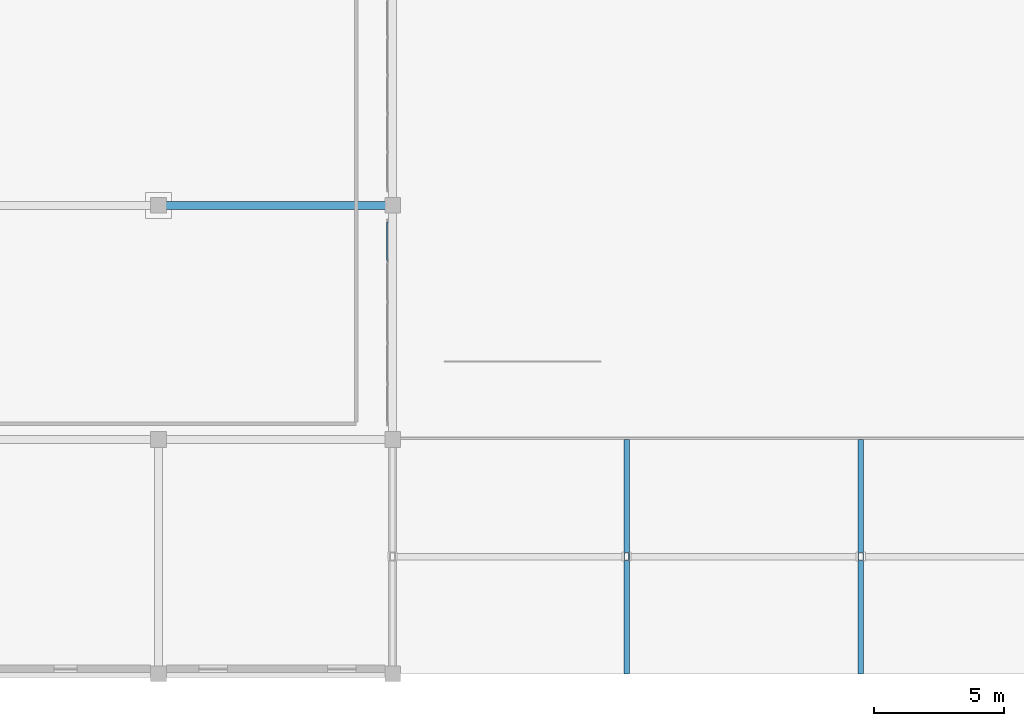
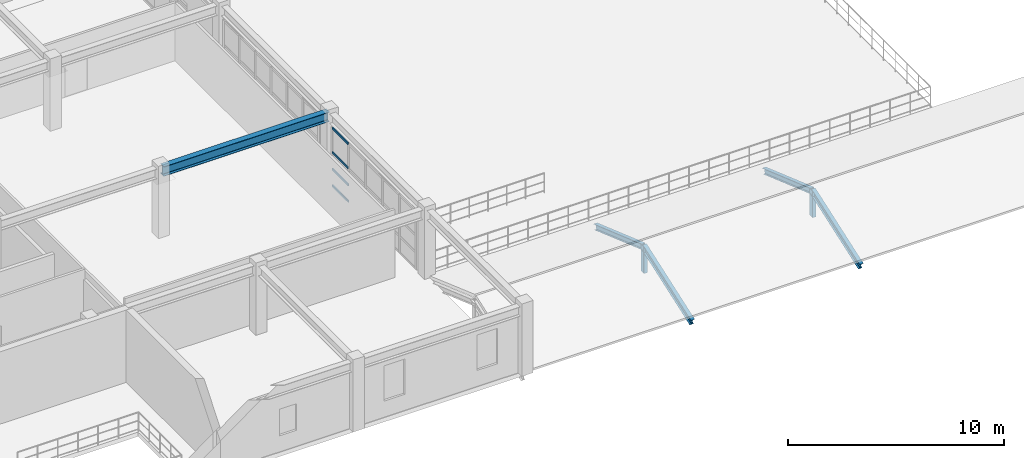
# One storey, part 36 of 110: 10 members, 1 beam, 1 element without a shape of its own.
"""IFC4 building model written with IfcOpenShell, lengths in metres."""

from ifc_helpers import new_model, si_unit, direction, frame, origin, origin_2d, place, context, subcontext, project, spatial, hollow_rectangle, i_section, extrude, material, material_profile, profile_set, type_object, element, aggregate, save


model = new_model("IFC4")

# Units and contexts
model_context = context("Model", 3, precision=1e-05, world=origin(), true_north=direction((0.0, 1.0)))
body_context = subcontext(model_context, "Body", "Model", "MODEL_VIEW")
ifc_project = project(units=[si_unit("LENGTHUNIT", "METRE"), si_unit("AREAUNIT", "SQUARE_METRE"), si_unit("VOLUMEUNIT", "CUBIC_METRE"), si_unit("PLANEANGLEUNIT", "RADIAN"), si_unit("MASSUNIT", "GRAM", prefix="KILO")], contexts=[model_context])

# Site, building, storey
site_placement = place(None, origin())
site = spatial("IfcSite", under=ifc_project, at=site_placement, CompositionType="ELEMENT")
building_placement = place(site_placement, origin())
building = spatial("IfcBuilding", under=site, at=building_placement, Name="Miravela Opera House", CompositionType="ELEMENT")
storey_placement = place(building_placement, frame((0.0, 0.0, 13.60009765625)))
storey = spatial("IfcBuildingStorey", under=building, at=storey_placement, Name="L03", CompositionType="ELEMENT", Elevation=13.60009765625)

# Curtain wall, members
ifc_material_1 = material(Name="Anodised architectural bronze aluminium 6063-T6", Category="aluminium")
curtain_wall_type = type_object("IfcCurtainWallType", Name="ARC-CW-08", PredefinedType="NOTDEFINED", material=ifc_material_1)
curtain_wall_placement = place(storey_placement, origin())
curtain_wall = element("IfcCurtainWall", 1, at=curtain_wall_placement, inside=storey, type_object=curtain_wall_type, Name="Courtyard Arcade Curtain Wall CW-L03-201", PredefinedType="NOTDEFINED")
ifc_material_profile_1 = material_profile(ifc_material_1, hollow_rectangle(XDim=0.06005859375, YDim=0.114990234375, WallThickness=0.00390625, InnerFilletRadius=0.001953125, OuterFilletRadius=0.00390625, at=origin_2d()), Name="CWT-60X115")
ifc_profile_set_1 = profile_set([ifc_material_profile_1])
member_type_1 = type_object("IfcMemberType", Name="ARC-CWT-115", PredefinedType="USERDEFINED", material=ifc_profile_set_1)
member_1_placement = place(storey_placement, frame((89.800048828125, 15.882080078125, 0.02978515625), z_axis=(0.0, 1.0, 0.0), x_axis=(-1.0, 0.0, 0.0)))
member_1 = element("IfcMember", 2, at=member_1_placement, type_object=member_type_1, Name="CW-08 transom 5.1", ObjectType="TRANSOM", PredefinedType="USERDEFINED", context=body_context, shape_type="SweptSolid", body=[
    extrude(hollow_rectangle(XDim=0.06005859375, YDim=0.114990234375, WallThickness=0.00390625, InnerFilletRadius=0.001953125, OuterFilletRadius=0.00390625, at=origin_2d()), origin(), (0.0, 0.0, 1.0), 1.47802734375),
])
member_2_placement = place(storey_placement, frame((89.800048828125, 15.882080078125, 0.949951171875), z_axis=(0.0, 1.0, 0.0), x_axis=(-1.0, 0.0, 0.0)))
member_2 = element("IfcMember", 3, at=member_2_placement, type_object=member_type_1, Name="CW-08 transom 5.2", ObjectType="TRANSOM", PredefinedType="USERDEFINED", context=body_context, shape_type="SweptSolid", body=[
    extrude(hollow_rectangle(XDim=0.06005859375, YDim=0.114990234375, WallThickness=0.00390625, InnerFilletRadius=0.001953125, OuterFilletRadius=0.00390625, at=origin_2d()), origin(), (0.0, 0.0, 1.0), 1.47802734375),
])
member_3_placement = place(storey_placement, frame((89.800048828125, 15.882080078125, 1.908203125), z_axis=(0.0, 1.0, 0.0), x_axis=(-1.0, 0.0, 0.0)))
member_3 = element("IfcMember", 4, at=member_3_placement, type_object=member_type_1, Name="CW-08 transom 5.3", ObjectType="TRANSOM", PredefinedType="USERDEFINED", context=body_context, shape_type="SweptSolid", body=[
    extrude(hollow_rectangle(XDim=0.06005859375, YDim=0.114990234375, WallThickness=0.00390625, InnerFilletRadius=0.001953125, OuterFilletRadius=0.00390625, at=origin_2d()), origin(), (0.0, 0.0, 1.0), 1.47802734375),
])
member_4_placement = place(storey_placement, frame((89.800048828125, 15.882080078125, 3.260009765625), z_axis=(0.0, 1.0, 0.0), x_axis=(-1.0, 0.0, 0.0)))
member_4 = element("IfcMember", 5, at=member_4_placement, type_object=member_type_1, Name="CW-08 transom 5.4", ObjectType="TRANSOM", PredefinedType="USERDEFINED", context=body_context, shape_type="SweptSolid", body=[
    extrude(hollow_rectangle(XDim=0.06005859375, YDim=0.114990234375, WallThickness=0.00390625, InnerFilletRadius=0.001953125, OuterFilletRadius=0.00390625, at=origin_2d()), origin(), (0.0, 0.0, 1.0), 1.47802734375),
])
aggregate(curtain_wall, [member_1, member_2, member_3, member_4])

# Beam
ifc_material_2 = material(Name="Structural steel ASTM A992 Gr. 50", Category="steel")
ifc_material_profile_2 = material_profile(ifc_material_2, i_section(OverallWidth=0.31201171875, OverallDepth=0.54296875, WebThickness=0.0126953125, FlangeThickness=0.020263671875, FilletRadius=0.01611328125, at=origin_2d()), Name="W530X150")
ifc_profile_set_2 = profile_set([ifc_material_profile_2])
beam_type = type_object("IfcBeamType", Name="STR-BM-W530X150", PredefinedType="BEAM", material=ifc_profile_set_2)
beam_placement = place(storey_placement, frame((81.080078125, 18.0, 3.568359375), z_axis=(1.0, 0.0, 0.0), x_axis=(0.0, 1.0, 0.0)))
element("IfcBeam", 6, at=beam_placement, inside=storey, type_object=beam_type, Name="Roof King-Post Transverse Tie Girder ROOF-V4-MID T1.3", PredefinedType="BEAM", context=body_context, shape_type="SweptSolid", body=[
    extrude(i_section(OverallWidth=0.31201171875, OverallDepth=0.54296875, WebThickness=0.0126953125, FlangeThickness=0.020263671875, FilletRadius=0.01611328125, at=origin_2d()), origin(), (0.0, 0.0, 1.0), 8.83984375),
])

# Members
ifc_material_3 = material(Name="Hollow structural steel ASTM A500 Gr. C", Category="steel")
ifc_material_profile_3 = material_profile(ifc_material_3, hollow_rectangle(XDim=0.199951171875, YDim=0.300048828125, WallThickness=0.011962890625, InnerFilletRadius=0.011962890625, OuterFilletRadius=0.02392578125, at=origin_2d()), Name="HSS300X200X12")
ifc_profile_set_3 = profile_set([ifc_material_profile_3])
member_type_2 = type_object("IfcMemberType", Name="STR-MEM-POST-HSS300X200", PredefinedType="POST", material=ifc_profile_set_3)
for number, where, z_axis, x_axis, name in (
    (7, (99.0, 4.5, -0.25), (0.0, 0.0, 1.0), (1.0, 0.0, 0.0), "Roof Ridge Support Post ROOF-V4-SE M1"),
    (8, (108.0, 4.5, -0.25), (0.0, 0.0, 1.0), (1.0, 0.0, 0.0), "Roof Ridge Support Post ROOF-V4-SE M2"),
):
    element("IfcMember", number, at=place(storey_placement, frame(where, z_axis=z_axis, x_axis=x_axis)), inside=storey, type_object=member_type_2, Name=name, PredefinedType="POST", context=body_context, shape_type="SweptSolid", body=[
        extrude(hollow_rectangle(XDim=0.199951171875, YDim=0.300048828125, WallThickness=0.011962890625, InnerFilletRadius=0.011962890625, OuterFilletRadius=0.02392578125, at=origin_2d()), origin(), (0.0, 0.0, 1.0), 1.510009765625),
    ])
ifc_material_profile_4 = material_profile(ifc_material_2, i_section(OverallWidth=0.2041015625, OverallDepth=0.35009765625, WebThickness=0.008544921875, FlangeThickness=0.01513671875, FilletRadius=0.013916015625, at=origin_2d()), Name="W360X72")
ifc_profile_set_4 = profile_set([ifc_material_profile_4])
member_type_3 = type_object("IfcMemberType", Name="STR-MEM-RAFTER-1", PredefinedType="RAFTER", material=ifc_profile_set_4)
for number, where, z_axis, x_axis, name in (
    (9, (99.0, 0.050048828125, -0.400146484375), (0.0, 0.943687918104, 0.3308369889), (-1.0, 0.0, 0.0), "Pitched Roof Rafter ROOF-V4-SE S1"),
    (10, (108.0, 0.050048828125, -0.400146484375), (0.0, 0.943687918104, 0.3308369889), (-1.0, 0.0, 0.0), "Pitched Roof Rafter ROOF-V4-SE S2"),
):
    element("IfcMember", number, at=place(storey_placement, frame(where, z_axis=z_axis, x_axis=x_axis)), inside=storey, type_object=member_type_3, Name=name, PredefinedType="RAFTER", context=body_context, shape_type="SweptSolid", body=[
        extrude(i_section(OverallWidth=0.2041015625, OverallDepth=0.35009765625, WebThickness=0.008544921875, FlangeThickness=0.01513671875, FilletRadius=0.013916015625, at=origin_2d()), origin(), (0.0, 0.0, 1.0), 4.715576171875),
    ])
ifc_material_profile_5 = material_profile(ifc_material_2, i_section(OverallWidth=0.202880859375, OverallDepth=0.302978515625, WebThickness=0.007568359375, FlangeThickness=0.01318359375, FilletRadius=0.012939453125, at=origin_2d()), Name="W310X60")
ifc_profile_set_5 = profile_set([ifc_material_profile_5])
member_type_4 = type_object("IfcMemberType", Name="STR-MEM-RAFTER-2", PredefinedType="RAFTER", material=ifc_profile_set_5)
for number, where, z_axis, x_axis, name in (
    (11, (99.0, 8.949951171875, -0.400146484375), (0.0, -0.943687918104, 0.3308369889), (1.0, 0.0, 0.0), "Pitched Roof Rafter ROOF-V4-SE N1"),
    (12, (108.0, 8.949951171875, -0.400146484375), (0.0, -0.943687918104, 0.3308369889), (1.0, 0.0, 0.0), "Pitched Roof Rafter ROOF-V4-SE N2"),
):
    element("IfcMember", number, at=place(storey_placement, frame(where, z_axis=z_axis, x_axis=x_axis)), inside=storey, type_object=member_type_4, Name=name, PredefinedType="RAFTER", context=body_context, shape_type="SweptSolid", body=[
        extrude(i_section(OverallWidth=0.202880859375, OverallDepth=0.302978515625, WebThickness=0.007568359375, FlangeThickness=0.01318359375, FilletRadius=0.012939453125, at=origin_2d()), origin(), (0.0, 0.0, 1.0), 4.715576171875),
    ])

save(model, "model.ifc")
